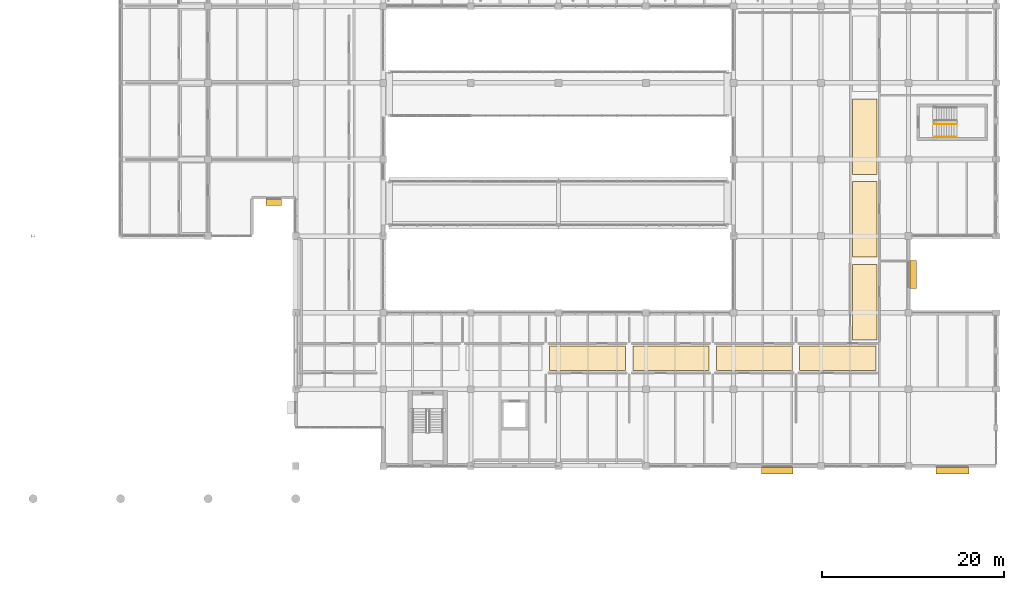
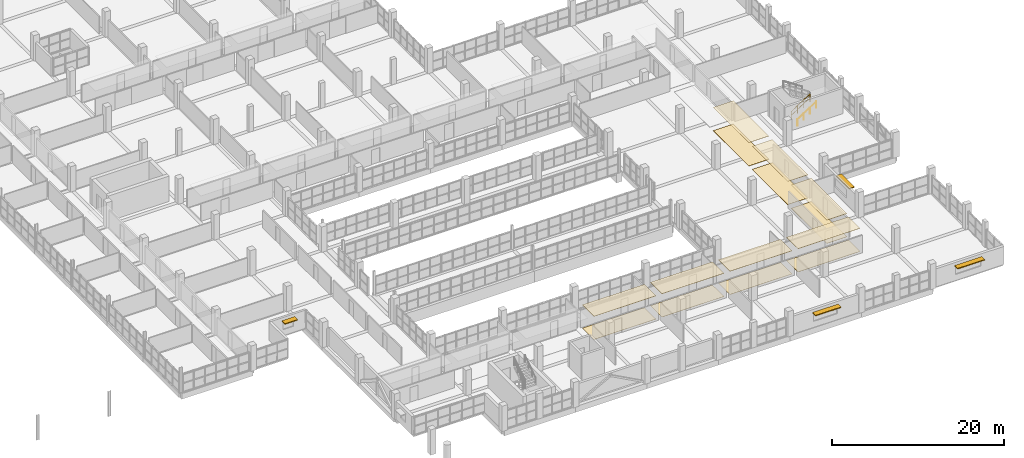
# One storey, part 142 of 147: 14 coverings, 4 shading devices, 2 railings.
"""IFC4 building model written with IfcOpenShell, lengths in metres."""

from ifc_helpers import new_model, si_unit, direction, frame, origin, origin_2d, place, context, subcontext, project, spatial, polyline, rectangle, circle, outline, extrude, material, layer, layer_set, type_object, element, save


model = new_model("IFC4")

# Units and contexts
model_context = context("Model", 3, precision=1e-05, world=origin(), true_north=direction((0.0, 1.0)))
body_context = subcontext(model_context, "Body", "Model", "MODEL_VIEW")
ifc_project = project(units=[si_unit("LENGTHUNIT", "METRE"), si_unit("AREAUNIT", "SQUARE_METRE"), si_unit("VOLUMEUNIT", "CUBIC_METRE"), si_unit("PLANEANGLEUNIT", "RADIAN"), si_unit("MASSUNIT", "GRAM", prefix="KILO")], contexts=[model_context])

# Site, building, storey
site_placement = place(None, origin())
site = spatial("IfcSite", under=ifc_project, at=site_placement, CompositionType="ELEMENT")
building_placement = place(site_placement, origin())
building = spatial("IfcBuilding", under=site, at=building_placement, Name="Oolite Switchyard Hospital", CompositionType="ELEMENT")
storey_placement = place(building_placement, frame((0.0, 0.0, 9.89990234375)))
storey = spatial("IfcBuildingStorey", under=building, at=storey_placement, Name="L02", CompositionType="ELEMENT", Elevation=9.89990234375)

# Coverings
ifc_material_1 = material(Name="Hygienic washable mineral-fibre acoustic ceiling")
ifc_layer_1 = layer(ifc_material_1, 0.0400390625)
ifc_layer_set_1 = layer_set([ifc_layer_1], Name="COV-CEIL-AC60")
covering_type_1 = type_object("IfcCoveringType", Name="COV-CEIL-AC60", PredefinedType="CEILING", material=ifc_layer_set_1)
covering_1_placement = place(storey_placement, frame((0.0, 0.0, 3.28515625)))
element("IfcCovering", 1, at=covering_1_placement, inside=storey, type_object=covering_type_1, Name="L02 Outpatient Neurology Diagnostic Corridor Ceiling 4", PredefinedType="CEILING", context=body_context, shape_type="SweptSolid", body=[
    extrude(outline(polyline([(162.22900390625, 18.85009765625), (170.572021484375, 18.85009765625), (170.572021484375, 21.550048828125), (162.22900390625, 21.550048828125), (162.22900390625, 18.85009765625)])), origin(), (0.0, 0.0, 1.0), 0.0400390625),
])
covering_2_placement = place(storey_placement, frame((0.0, 0.0, 3.28515625)))
element("IfcCovering", 2, at=covering_2_placement, inside=storey, type_object=covering_type_1, Name="L02 Outpatient Neurology Diagnostic Corridor Ceiling 5", PredefinedType="CEILING", context=body_context, shape_type="SweptSolid", body=[
    extrude(outline(polyline([(171.3720703125, 18.85009765625), (179.715087890625, 18.85009765625), (179.715087890625, 21.550048828125), (171.3720703125, 21.550048828125), (171.3720703125, 18.85009765625)])), origin(), (0.0, 0.0, 1.0), 0.0400390625),
])
covering_3_placement = place(storey_placement, frame((0.0, 0.0, 3.28515625)))
element("IfcCovering", 3, at=covering_3_placement, inside=storey, type_object=covering_type_1, Name="L02 Outpatient Neurology Diagnostic Corridor Ceiling 6", PredefinedType="CEILING", context=body_context, shape_type="SweptSolid", body=[
    extrude(outline(polyline([(180.514892578125, 18.85009765625), (188.85791015625, 18.85009765625), (188.85791015625, 21.550048828125), (180.514892578125, 21.550048828125), (180.514892578125, 18.85009765625)])), origin(), (0.0, 0.0, 1.0), 0.0400390625),
])
covering_4_placement = place(storey_placement, frame((0.0, 0.0, 3.28515625)))
element("IfcCovering", 4, at=covering_4_placement, inside=storey, type_object=covering_type_1, Name="L02 Outpatient Neurology Diagnostic Corridor Ceiling 7", PredefinedType="CEILING", context=body_context, shape_type="SweptSolid", body=[
    extrude(outline(polyline([(189.657958984375, 18.85009765625), (198.0009765625, 18.85009765625), (198.0009765625, 21.550048828125), (189.657958984375, 21.550048828125), (189.657958984375, 18.85009765625)])), origin(), (0.0, 0.0, 1.0), 0.0400390625),
])
covering_5_placement = place(storey_placement, frame((0.0, 0.0, 3.28515625)))
element("IfcCovering", 5, at=covering_5_placement, inside=storey, type_object=covering_type_1, Name="L02 Outpatient Endocrinology Corridor L02 Ceiling 1", PredefinedType="CEILING", context=body_context, shape_type="SweptSolid", body=[
    extrude(outline(polyline([(195.449951171875, 22.199951171875), (198.14990234375, 22.199951171875), (198.14990234375, 30.47998046875), (195.449951171875, 30.47998046875), (195.449951171875, 22.199951171875)])), origin(), (0.0, 0.0, 1.0), 0.0400390625),
])
covering_6_placement = place(storey_placement, frame((0.0, 0.0, 3.28515625)))
element("IfcCovering", 6, at=covering_6_placement, inside=storey, type_object=covering_type_1, Name="L02 Outpatient Endocrinology Corridor L02 Ceiling 2", PredefinedType="CEILING", context=body_context, shape_type="SweptSolid", body=[
    extrude(outline(polyline([(195.449951171875, 31.280029296875), (198.14990234375, 31.280029296875), (198.14990234375, 39.56005859375), (195.449951171875, 39.56005859375), (195.449951171875, 31.280029296875)])), origin(), (0.0, 0.0, 1.0), 0.0400390625),
])
covering_7_placement = place(storey_placement, frame((0.0, 0.0, 3.28515625)))
element("IfcCovering", 7, at=covering_7_placement, inside=storey, type_object=covering_type_1, Name="L02 Outpatient Endocrinology Corridor L02 Ceiling 3", PredefinedType="CEILING", context=body_context, shape_type="SweptSolid", body=[
    extrude(outline(polyline([(195.449951171875, 40.360107421875), (198.14990234375, 40.360107421875), (198.14990234375, 48.639892578125), (195.449951171875, 48.639892578125), (195.449951171875, 40.360107421875)])), origin(), (0.0, 0.0, 1.0), 0.0400390625),
])
ifc_material_2 = material(Name="Epoxy terrazzo seamless clinical flooring")
ifc_layer_2 = layer(ifc_material_2, 0.02001953125)
ifc_layer_set_2 = layer_set([ifc_layer_2], Name="COV-FLR-TER20")
covering_type_2 = type_object("IfcCoveringType", Name="COV-FLR-TER20", PredefinedType="FLOORING", material=ifc_layer_set_2)
covering_8_placement = place(storey_placement, origin())
element("IfcCovering", 8, at=covering_8_placement, inside=storey, type_object=covering_type_2, Name="L02 Outpatient Neurology Diagnostic Corridor Flooring 4", PredefinedType="FLOORING", context=body_context, shape_type="SweptSolid", body=[
    extrude(outline(polyline([(162.22900390625, 18.85009765625), (170.572021484375, 18.85009765625), (170.572021484375, 21.550048828125), (162.22900390625, 21.550048828125), (162.22900390625, 18.85009765625)])), origin(), (0.0, 0.0, 1.0), 0.02001953125),
])
covering_9_placement = place(storey_placement, origin())
element("IfcCovering", 9, at=covering_9_placement, inside=storey, type_object=covering_type_2, Name="L02 Outpatient Neurology Diagnostic Corridor Flooring 5", PredefinedType="FLOORING", context=body_context, shape_type="SweptSolid", body=[
    extrude(outline(polyline([(171.3720703125, 18.85009765625), (179.715087890625, 18.85009765625), (179.715087890625, 21.550048828125), (171.3720703125, 21.550048828125), (171.3720703125, 18.85009765625)])), origin(), (0.0, 0.0, 1.0), 0.02001953125),
])
covering_10_placement = place(storey_placement, origin())
element("IfcCovering", 10, at=covering_10_placement, inside=storey, type_object=covering_type_2, Name="L02 Outpatient Neurology Diagnostic Corridor Flooring 6", PredefinedType="FLOORING", context=body_context, shape_type="SweptSolid", body=[
    extrude(outline(polyline([(180.514892578125, 18.85009765625), (188.85791015625, 18.85009765625), (188.85791015625, 21.550048828125), (180.514892578125, 21.550048828125), (180.514892578125, 18.85009765625)])), origin(), (0.0, 0.0, 1.0), 0.02001953125),
])
covering_11_placement = place(storey_placement, origin())
element("IfcCovering", 11, at=covering_11_placement, inside=storey, type_object=covering_type_2, Name="L02 Outpatient Neurology Diagnostic Corridor Flooring 7", PredefinedType="FLOORING", context=body_context, shape_type="SweptSolid", body=[
    extrude(outline(polyline([(189.657958984375, 18.85009765625), (198.0009765625, 18.85009765625), (198.0009765625, 21.550048828125), (189.657958984375, 21.550048828125), (189.657958984375, 18.85009765625)])), origin(), (0.0, 0.0, 1.0), 0.02001953125),
])
covering_12_placement = place(storey_placement, origin())
element("IfcCovering", 12, at=covering_12_placement, inside=storey, type_object=covering_type_2, Name="L02 Outpatient Endocrinology Corridor L02 Flooring 1", PredefinedType="FLOORING", context=body_context, shape_type="SweptSolid", body=[
    extrude(outline(polyline([(195.449951171875, 22.199951171875), (198.14990234375, 22.199951171875), (198.14990234375, 30.47998046875), (195.449951171875, 30.47998046875), (195.449951171875, 22.199951171875)])), origin(), (0.0, 0.0, 1.0), 0.02001953125),
])
covering_13_placement = place(storey_placement, origin())
element("IfcCovering", 13, at=covering_13_placement, inside=storey, type_object=covering_type_2, Name="L02 Outpatient Endocrinology Corridor L02 Flooring 2", PredefinedType="FLOORING", context=body_context, shape_type="SweptSolid", body=[
    extrude(outline(polyline([(195.449951171875, 31.280029296875), (198.14990234375, 31.280029296875), (198.14990234375, 39.56005859375), (195.449951171875, 39.56005859375), (195.449951171875, 31.280029296875)])), origin(), (0.0, 0.0, 1.0), 0.02001953125),
])
covering_14_placement = place(storey_placement, origin())
element("IfcCovering", 14, at=covering_14_placement, inside=storey, type_object=covering_type_2, Name="L02 Outpatient Endocrinology Corridor L02 Flooring 3", PredefinedType="FLOORING", context=body_context, shape_type="SweptSolid", body=[
    extrude(outline(polyline([(195.449951171875, 40.360107421875), (198.14990234375, 40.360107421875), (198.14990234375, 48.639892578125), (195.449951171875, 48.639892578125), (195.449951171875, 40.360107421875)])), origin(), (0.0, 0.0, 1.0), 0.02001953125),
])

# Railings
ifc_material_3 = material(Name="Galvanized painted architectural steel handrail", Category="steel")
railing_type_1 = type_object("IfcRailingType", Name="RL-STAIR-GRD", PredefinedType="GUARDRAIL", material=ifc_material_3)
railing_1_placement = place(storey_placement, frame((204.360107421875, 45.909912109375, 0.18017578125)))
element("IfcRailing", 15, at=railing_1_placement, inside=storey, type_object=railing_type_1, Name="L02 ST-06 stair guard 1", PredefinedType="GUARDRAIL", context=body_context, shape_type="SweptSolid", body=[
    extrude(circle(Radius=0.02392578125, at=origin_2d()), frame((0.0, 0.0, 1.076171875), z_axis=(0.841175827307, 0.0, 0.540761710511), x_axis=(0.0, 1.0, 0.0)), (0.0, 0.0, 1.0), 2.99560546875),
    extrude(circle(Radius=0.015625, at=origin_2d()), frame((0.0, 0.0, 0.550048828125), z_axis=(0.841175827307, 0.0, 0.540761710511), x_axis=(0.0, 1.0, 0.0)), (0.0, 0.0, 1.0), 2.99560546875),
    extrude(circle(Radius=0.02099609375, at=origin_2d()), origin(), (0.0, 0.0, 1.0), 1.052001953125),
    extrude(circle(Radius=0.02099609375, at=origin_2d()), frame((0.83984375, 0.0, 0.5400390625)), (0.0, 0.0, 1.0), 1.052001953125),
    extrude(circle(Radius=0.02099609375, at=origin_2d()), frame((1.679931640625, 0.0, 1.079833984375)), (0.0, 0.0, 1.0), 1.052001953125),
    extrude(circle(Radius=0.02099609375, at=origin_2d()), frame((2.519775390625, 0.0, 1.619873046875)), (0.0, 0.0, 1.0), 1.052001953125),
])
railing_type_2 = type_object("IfcRailingType", Name="RL-STAIR-HND", PredefinedType="HANDRAIL", material=ifc_material_3)
railing_2_placement = place(storey_placement, frame((204.360107421875, 44.449951171875, 0.18017578125)))
element("IfcRailing", 16, at=railing_2_placement, inside=storey, type_object=railing_type_2, Name="L02 ST-06 stair handrail 1", PredefinedType="HANDRAIL", context=body_context, shape_type="SweptSolid", body=[
    extrude(circle(Radius=0.02392578125, at=origin_2d()), frame((0.0, 0.0, 0.8759765625), z_axis=(0.841175827307, 0.0, 0.540761710511), x_axis=(0.0, 1.0, 0.0)), (0.0, 0.0, 1.0), 2.99560546875),
    extrude(circle(Radius=0.02099609375, at=origin_2d()), origin(), (0.0, 0.0, 1.0), 0.851806640625),
    extrude(circle(Radius=0.02099609375, at=origin_2d()), frame((0.83984375, 0.0, 0.5400390625)), (0.0, 0.0, 1.0), 0.851806640625),
    extrude(circle(Radius=0.02099609375, at=origin_2d()), frame((1.679931640625, 0.0, 1.079833984375)), (0.0, 0.0, 1.0), 0.851806640625),
    extrude(circle(Radius=0.02099609375, at=origin_2d()), frame((2.519775390625, 0.0, 1.619873046875)), (0.0, 0.0, 1.0), 0.851806640625),
])

# Shading devices
ifc_material_4 = material(Name="Precast oolitic limestone architectural concrete C40/50", Category="masonry")
ifc_layer_3 = layer(ifc_material_4, 0.1201171875)
ifc_layer_set_3 = layer_set([ifc_layer_3], Name="SHD-BRISE-900")
shading_device_type = type_object("IfcShadingDeviceType", Name="SHD-BRISE-900", PredefinedType="AWNING", material=ifc_layer_set_3)
shading_device_1_placement = place(storey_placement, frame((187.199951171875, 7.8798828125, 2.06005859375), z_axis=(0.0, 0.0, 1.0), x_axis=(1.0, 0.0, 0.0)))
element("IfcShadingDevice", 17, at=shading_device_1_placement, inside=storey, type_object=shading_device_type, Name="L02 Classical Brise-Soleil Sunshade 28", PredefinedType="AWNING", context=body_context, shape_type="SweptSolid", body=[
    extrude(rectangle(XDim=3.43994140625, YDim=0.699951171875, at=origin_2d()), origin(), (0.0, 0.0, 1.0), 0.1201171875),
])
shading_device_2_placement = place(storey_placement, frame((206.39990234375, 7.8701171875, 2.06005859375), z_axis=(0.0, 0.0, 1.0), x_axis=(1.0, 0.0, 0.0)))
element("IfcShadingDevice", 18, at=shading_device_2_placement, inside=storey, type_object=shading_device_type, Name="L02 Classical Brise-Soleil Sunshade 29", PredefinedType="AWNING", context=body_context, shape_type="SweptSolid", body=[
    extrude(rectangle(XDim=3.639892578125, YDim=0.699951171875, at=origin_2d()), origin(), (0.0, 0.0, 1.0), 0.1201171875),
])
shading_device_3_placement = place(storey_placement, frame((132.0, 37.31005859375, 2.06005859375), z_axis=(0.0, 0.0, 1.0), x_axis=(1.0, 0.0, 0.0)))
element("IfcShadingDevice", 19, at=shading_device_3_placement, inside=storey, type_object=shading_device_type, Name="L02 Classical Brise-Soleil Sunshade 32", PredefinedType="AWNING", context=body_context, shape_type="SweptSolid", body=[
    extrude(rectangle(XDim=1.68994140625, YDim=0.699951171875, at=origin_2d()), origin(), (0.0, 0.0, 1.0), 0.1201171875),
])
shading_device_4_placement = place(storey_placement, frame((202.10009765625, 29.39990234375, 2.06005859375), z_axis=(0.0, 0.0, 1.0), x_axis=(0.0, 1.0, 0.0)))
element("IfcShadingDevice", 20, at=shading_device_4_placement, inside=storey, type_object=shading_device_type, Name="L02 Classical Brise-Soleil Sunshade 38", PredefinedType="AWNING", context=body_context, shape_type="SweptSolid", body=[
    extrude(rectangle(XDim=3.0400390625, YDim=0.699951171875, at=origin_2d()), origin(), (0.0, 0.0, 1.0), 0.1201171875),
])

save(model, "model.ifc")
